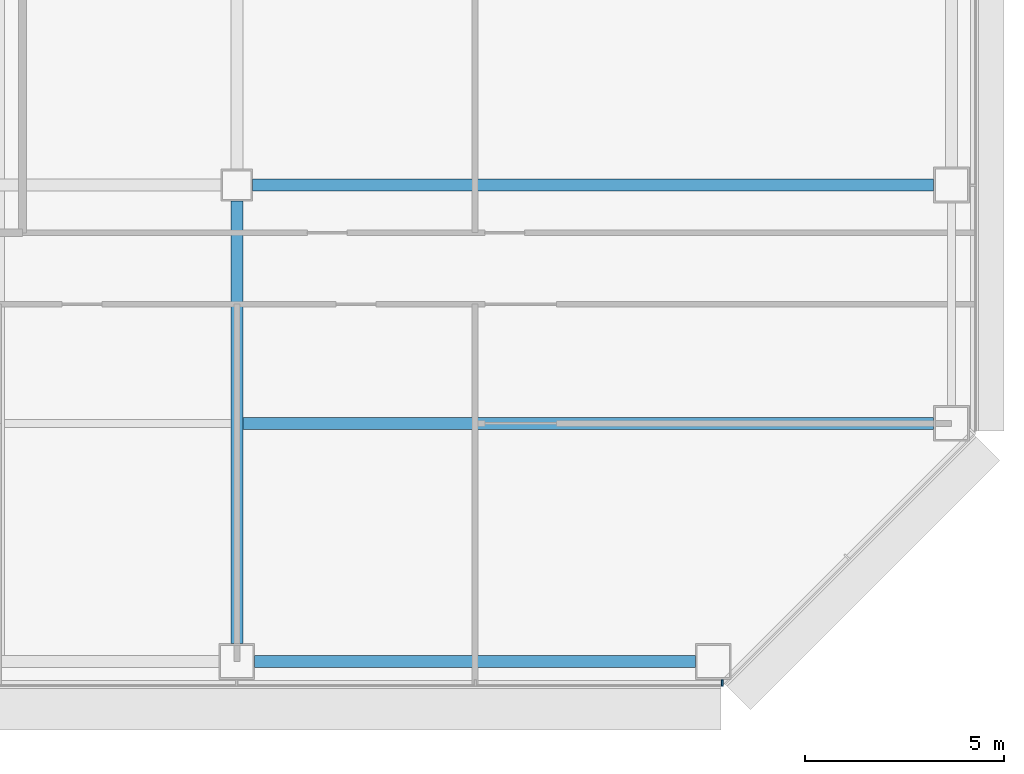
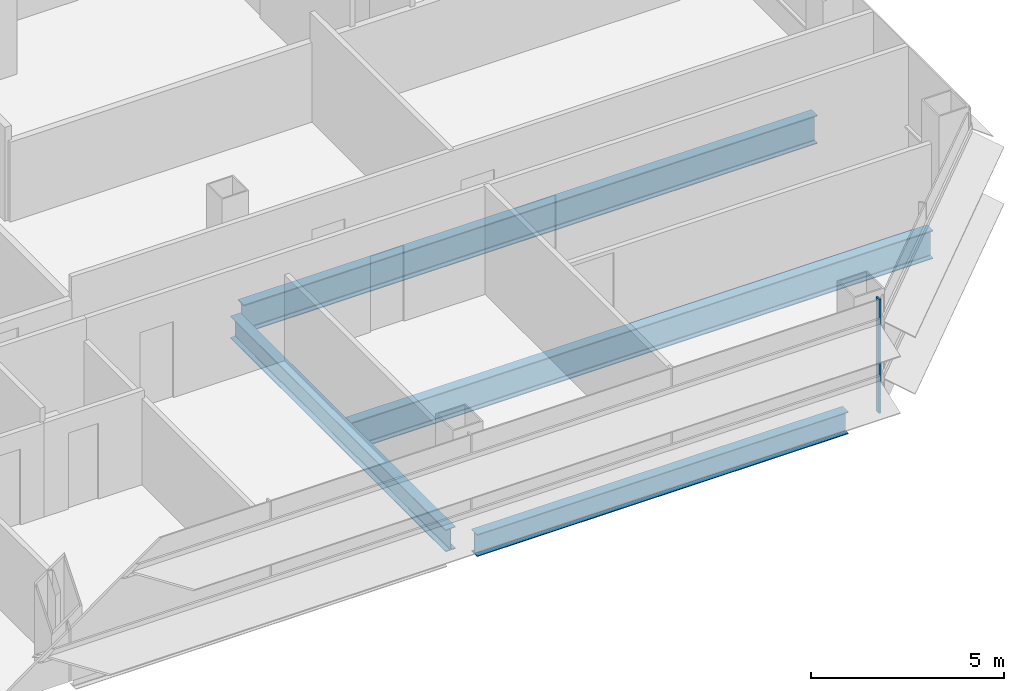
# One storey, part 9 of 26: 4 beams, 1 member, 1 element without a shape of its own.
"""IFC4 building model written with IfcOpenShell, lengths in metres."""

from ifc_helpers import new_model, si_unit, direction, frame, origin, origin_2d, place, context, subcontext, project, spatial, rectangle, i_section, extrude, material, material_profile, profile_set, type_object, element, aggregate, save


model = new_model("IFC4")

# Units and contexts
model_context = context("Model", 3, precision=1e-05, world=origin(), true_north=direction((0.0, 1.0)))
body_context = subcontext(model_context, "Body", "Model", "MODEL_VIEW")
ifc_project = project(units=[si_unit("LENGTHUNIT", "METRE"), si_unit("AREAUNIT", "SQUARE_METRE"), si_unit("VOLUMEUNIT", "CUBIC_METRE"), si_unit("PLANEANGLEUNIT", "RADIAN"), si_unit("MASSUNIT", "GRAM", prefix="KILO")], contexts=[model_context])

# Site, building, storey
site_placement = place(None, origin())
site = spatial("IfcSite", under=ifc_project, at=site_placement, CompositionType="ELEMENT")
building_placement = place(site_placement, origin())
building = spatial("IfcBuilding", under=site, at=building_placement, Name="Sorahane Residences", CompositionType="ELEMENT")
storey_placement = place(building_placement, frame((0.0, 0.0, 67.800048828125)))
storey = spatial("IfcBuildingStorey", under=building, at=storey_placement, Name="L13", CompositionType="ELEMENT", Elevation=67.800048828125)

# Curtain wall, member
ifc_material_1 = material(Name="Dark low-e glass and black anodised aluminium", Category="aluminium")
curtain_wall_type = type_object("IfcCurtainWallType", Name="Curtain wall CW-1 Typical unitised wall", PredefinedType="NOTDEFINED", material=ifc_material_1)
curtain_wall_placement = place(storey_placement, origin())
curtain_wall = element("IfcCurtainWall", 1, at=curtain_wall_placement, inside=storey, type_object=curtain_wall_type, Name="CW-1 curtain wall L13 S1", PredefinedType="NOTDEFINED")
ifc_material_2 = material(Name="Black anodised aluminium", Category="aluminium")
ifc_material_profile_1 = material_profile(ifc_material_2, rectangle(XDim=0.159912109375, YDim=0.050048828125, at=origin_2d()), Name="Curtain wall mullion CW-1 black anodised aluminium 50x160")
ifc_profile_set_1 = profile_set([ifc_material_profile_1], Name="Black anodised aluminium")
member_type = type_object("IfcMemberType", Name="Curtain wall mullion CW-1 black anodised aluminium 50x160", PredefinedType="MULLION", material=ifc_profile_set_1)
member_placement = place(storey_placement, frame((60.2236328125, -0.5400390625, -0.179931640625), z_axis=(0.0, 0.0, 1.0), x_axis=(0.0, -1.0, 0.0)))
member = element("IfcMember", 2, at=member_placement, type_object=member_type, Name="CW-1 mullion L13 S1.10", PredefinedType="MULLION", context=body_context, shape_type="SweptSolid", body=[
    extrude(rectangle(XDim=0.159912109375, YDim=0.050048828125, at=origin_2d()), origin(), (0.0, 0.0, 1.0), 3.599853515625),
])
aggregate(curtain_wall, [member])

# Beams
ifc_material_3 = material(Name="Steel Q355B", Category="steel")
ifc_material_profile_2 = material_profile(ifc_material_3, i_section(OverallWidth=0.300048828125, OverallDepth=0.699951171875, WebThickness=0.012939453125, FlangeThickness=0.02392578125, FilletRadius=0.028076171875, at=origin_2d()), Name="HN 700x300x13x24")
ifc_profile_set_2 = profile_set([ifc_material_profile_2], Name="Steel Q355B")
beam_type_1 = type_object("IfcBeamType", Name="Steel floor beam HN 700x300x13x24 Q355B", PredefinedType="BEAM", material=ifc_profile_set_2)
beam_1_placement = place(storey_placement, frame((48.449951171875, 0.0, -0.530029296875), z_axis=(1.0, 0.0, 0.0), x_axis=(0.0, 1.0, 0.0)))
element("IfcBeam", 3, at=beam_1_placement, inside=storey, type_object=beam_type_1, Name="Beam L13 004", PredefinedType="BEAM", context=body_context, shape_type="SweptSolid", body=[
    extrude(i_section(OverallWidth=0.300048828125, OverallDepth=0.699951171875, WebThickness=0.012939453125, FlangeThickness=0.02392578125, FilletRadius=0.028076171875, at=origin_2d()), origin(), (0.0, 0.0, 1.0), 11.10009765625),
])
beam_2_placement = place(storey_placement, frame((48.0, 0.449951171875, -0.530029296875), z_axis=(0.0, 1.0, 0.0), x_axis=(-1.0, 0.0, 0.0)))
element("IfcBeam", 4, at=beam_2_placement, inside=storey, type_object=beam_type_1, Name="Beam L13 051", PredefinedType="BEAM", context=body_context, shape_type="SweptSolid", body=[
    extrude(i_section(OverallWidth=0.300048828125, OverallDepth=0.699951171875, WebThickness=0.012939453125, FlangeThickness=0.02392578125, FilletRadius=0.028076171875, at=origin_2d()), origin(), (0.0, 0.0, 1.0), 11.150146484375),
])
ifc_material_4 = material(Name="Steel Q355B", Category="steel")
ifc_material_profile_3 = material_profile(ifc_material_4, i_section(OverallWidth=0.300048828125, OverallDepth=0.89990234375, WebThickness=0.01611328125, FlangeThickness=0.028076171875, FilletRadius=0.028076171875, at=origin_2d()), Name="HN 900x300x16x28")
ifc_profile_set_3 = profile_set([ifc_material_profile_3], Name="Steel Q355B")
beam_type_2 = type_object("IfcBeamType", Name="Steel floor beam HN 900x300x16x28 Q355B", PredefinedType="BEAM", material=ifc_profile_set_3)
beam_3_placement = place(storey_placement, frame((48.39990234375, 12.0, -0.630126953125), z_axis=(1.0, 0.0, 0.0), x_axis=(0.0, 1.0, 0.0)))
element("IfcBeam", 5, at=beam_3_placement, inside=storey, type_object=beam_type_2, Name="Beam L13 009", PredefinedType="BEAM", context=body_context, shape_type="SweptSolid", body=[
    extrude(i_section(OverallWidth=0.300048828125, OverallDepth=0.89990234375, WebThickness=0.01611328125, FlangeThickness=0.028076171875, FilletRadius=0.028076171875, at=origin_2d()), origin(), (0.0, 0.0, 1.0), 17.150146484375),
])
beam_4_placement = place(storey_placement, frame((48.14990234375, 6.0, -0.630126953125), z_axis=(1.0, 0.0, 0.0), x_axis=(0.0, 1.0, 0.0)))
element("IfcBeam", 6, at=beam_4_placement, inside=storey, type_object=beam_type_2, Name="Beam L13 069", PredefinedType="BEAM", context=body_context, shape_type="SweptSolid", body=[
    extrude(i_section(OverallWidth=0.300048828125, OverallDepth=0.89990234375, WebThickness=0.01611328125, FlangeThickness=0.028076171875, FilletRadius=0.028076171875, at=origin_2d()), origin(), (0.0, 0.0, 1.0), 17.400146484375),
])

save(model, "model.ifc")
